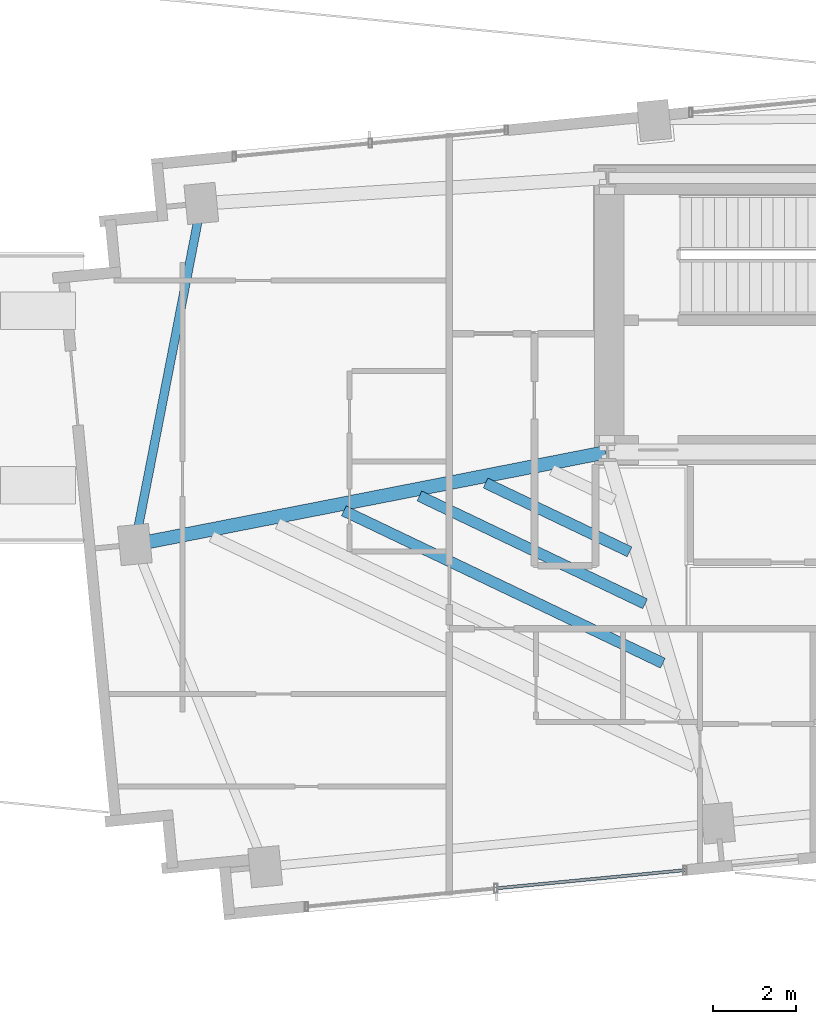
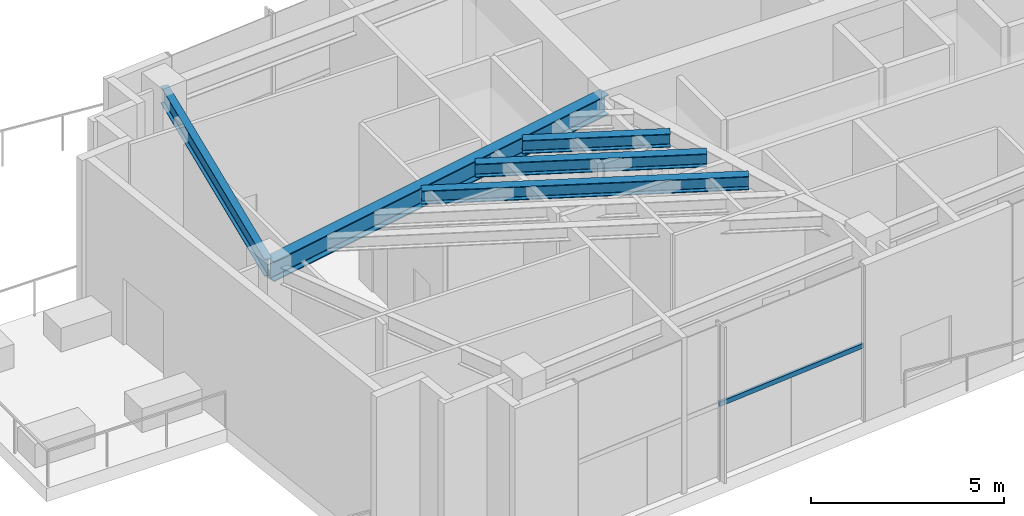
# One storey, part 3 of 21: 5 beams, 1 member, 1 element without a shape of its own.
"""IFC4 building model written with IfcOpenShell, lengths in metres."""

import ifcopenshell
import ifcopenshell.guid

model = None  # the IFC model being written
_history = None  # IfcOwnerHistory: only IFC2X3 demands one
_inside = {}  # id of a spatial element -> (the spatial element, [elements in it])
_under = {}  # id of a project, library or spatial element -> (it, [spatial elements below it])
_declared = {}  # id of a project -> (the project, [libraries it declares])
_typed = {}  # id of a type object -> (the type object, [elements of that type])
_made_of = {}  # id of a material, layer set ... -> (it, [elements and type objects made of it])


def new_model(schema):
    """Start an empty IFC model of exactly this schema.

    Asked for "IFC4X3", IfcOpenShell would pick the latest addendum, in which some entities
    have other attributes; the version numbers below select the first issue.
    IFC2X3 requires an IfcOwnerHistory on every rooted entity: one is made here for all.
    """
    global model, _history
    if schema == "IFC4X3":
        model = ifcopenshell.file(schema_version=(4, 3, 0, 0))
    else:
        model = ifcopenshell.file(schema=schema)
    _inside.clear()
    _under.clear()
    _declared.clear()
    _typed.clear()
    _made_of.clear()
    _history = None
    if model.schema == "IFC2X3":
        org = make("IfcOrganization", Name="unknown")
        user = make(
            "IfcPersonAndOrganization",
            ThePerson=make("IfcPerson", FamilyName="unknown"),
            TheOrganization=org,
        )
        app = make(
            "IfcApplication",
            ApplicationDeveloper=org,
            Version="unknown",
            ApplicationFullName="unknown",
            ApplicationIdentifier="unknown",
        )
        _history = make(
            "IfcOwnerHistory",
            OwningUser=user,
            OwningApplication=app,
            ChangeAction="ADDED",
            CreationDate=0,
        )
    return model


def make(cls, **values):
    """One entity of the class cls with the attributes given. An attribute that is None is left unset."""
    return model.create_entity(
        cls, **{name: value for name, value in values.items() if value is not None}
    )


def rooted(cls, **values):
    """An entity with a GlobalId (a new one), such as an element, a storey or a relation."""
    return make(cls, GlobalId=ifcopenshell.guid.new(), OwnerHistory=_history, **values)


def si_unit(unit_type, name, prefix=None):
    """IfcSIUnit, for example si_unit("LENGTHUNIT", "METRE", prefix="MILLI")."""
    return make("IfcSIUnit", UnitType=unit_type, Prefix=prefix, Name=name)


def assignment(units):
    """IfcUnitAssignment: the units of a project."""
    return None if units is None else make("IfcUnitAssignment", Units=units)


def point(xyz):
    """IfcCartesianPoint."""
    return None if xyz is None else make("IfcCartesianPoint", Coordinates=xyz)


def direction(xyz):
    """IfcDirection."""
    return None if xyz is None else make("IfcDirection", DirectionRatios=xyz)


def frame(location, z_axis=None, x_axis=None):
    """IfcAxis2Placement3D, a coordinate frame: its origin and axes. An axis left out is left unset."""
    return make(
        "IfcAxis2Placement3D",
        Location=point(location),
        Axis=direction(z_axis),
        RefDirection=direction(x_axis),
    )


def frame_2d(location, x_axis=None):
    """IfcAxis2Placement2D, a coordinate frame in the plane: its origin and x axis."""
    return make(
        "IfcAxis2Placement2D", Location=point(location), RefDirection=direction(x_axis)
    )


def origin():
    """The frame at (0, 0, 0) with its axes left unset."""
    return frame((0.0, 0.0, 0.0))


def origin_2d():
    """The frame at (0, 0) in the plane with its x axis left unset."""
    return frame_2d((0.0, 0.0))


def place(relative_to, where):
    """IfcLocalPlacement: puts the frame where relative to a parent placement (None: the world)."""
    return make(
        "IfcLocalPlacement", PlacementRelTo=relative_to, RelativePlacement=where
    )


def context(
    kind, dimensions, precision=None, world=None, true_north=None, identifier=None
):
    """IfcGeometricRepresentationContext, for example the 3D "Model" context."""
    return make(
        "IfcGeometricRepresentationContext",
        ContextIdentifier=identifier,
        ContextType=kind,
        CoordinateSpaceDimension=dimensions,
        Precision=precision,
        WorldCoordinateSystem=world,
        TrueNorth=true_north,
    )


def subcontext(parent, identifier, kind, view, scale=None):
    """IfcGeometricRepresentationSubContext, for example "Body" below "Model"."""
    return make(
        "IfcGeometricRepresentationSubContext",
        ContextIdentifier=identifier,
        ContextType=kind,
        ParentContext=parent,
        TargetScale=scale,
        TargetView=view,
    )


def project(units=None, contexts=None):
    """IfcProject with its units and contexts."""
    return rooted(
        "IfcProject",
        Name="project",
        RepresentationContexts=contexts,
        UnitsInContext=assignment(units),
    )


def spatial(cls, under=None, at=None, **own):
    """A site, building, storey or space (cls), placed at a placement, below another one or the project."""
    s = rooted(cls, ObjectPlacement=at, **own)
    if under is not None:
        _under.setdefault(under.id(), (under, []))[1].append(s)
    return s


def profile(cls, at=None, kind="AREA", **sizes):
    """A parametric profile (cls). Its sizes go by their IFC names, for example OverallWidth=200.0."""
    return make(cls, ProfileType=kind, Position=at, **sizes)


def hollow_rectangle(**sizes):
    """IfcRectangleHollowProfileDef."""
    return profile("IfcRectangleHollowProfileDef", **sizes)


def i_section(**sizes):
    """IfcIShapeProfileDef."""
    return profile("IfcIShapeProfileDef", **sizes)


def extrude(swept, where, along, depth):
    """IfcExtrudedAreaSolid: the profile swept, set in the frame where, extruded along a direction by depth."""
    return make(
        "IfcExtrudedAreaSolid",
        SweptArea=swept,
        Position=where,
        ExtrudedDirection=direction(along),
        Depth=depth,
    )


def shape(context_of_items, identifier, shape_type, items):
    """IfcShapeRepresentation: the items that make up one representation, for example the "Body"."""
    return make(
        "IfcShapeRepresentation",
        ContextOfItems=context_of_items,
        RepresentationIdentifier=identifier,
        RepresentationType=shape_type,
        Items=items,
    )


def source(mapping_origin, context_of_items, identifier, shape_type, items):
    """IfcRepresentationMap: a shape defined once, which mapped items show again and again."""
    return make(
        "IfcRepresentationMap",
        MappingOrigin=mapping_origin,
        MappedRepresentation=shape(context_of_items, identifier, shape_type, items),
    )


def transform(
    local_origin,
    x_axis=None,
    y_axis=None,
    z_axis=None,
    scale=None,
    scale2=None,
    scale3=None,
    uniform=True,
):
    """IfcCartesianTransformationOperator3D, or its non-uniform kind. x_axis, y_axis, z_axis: its Axis1, 2, 3."""
    if uniform:
        return make(
            "IfcCartesianTransformationOperator3D",
            Axis1=direction(x_axis),
            Axis2=direction(y_axis),
            LocalOrigin=point(local_origin),
            Scale=scale,
            Axis3=direction(z_axis),
        )
    return make(
        "IfcCartesianTransformationOperator3DnonUniform",
        Axis1=direction(x_axis),
        Axis2=direction(y_axis),
        LocalOrigin=point(local_origin),
        Scale=scale,
        Axis3=direction(z_axis),
        Scale2=scale2,
        Scale3=scale3,
    )


def mapped(mapping_source, mapping_target):
    """IfcMappedItem: shows the shape of a source again, moved by a transform."""
    return make(
        "IfcMappedItem", MappingSource=mapping_source, MappingTarget=mapping_target
    )


def material(Name=None, Category=None):
    """IfcMaterial."""
    return make("IfcMaterial", Name=Name, Category=Category)


def material_profile(
    of_material, cross_section, Name=None, Category=None, Priority=None
):
    """IfcMaterialProfile: a cross section and its material."""
    return make(
        "IfcMaterialProfile",
        Name=Name,
        Material=of_material,
        Profile=cross_section,
        Priority=Priority,
        Category=Category,
    )


def profile_set(profiles, Name=None, composite=None):
    """IfcMaterialProfileSet."""
    return make(
        "IfcMaterialProfileSet",
        Name=Name,
        MaterialProfiles=profiles,
        CompositeProfile=composite,
    )


def made_of(thing, what):
    """Note that an element or type object is made of a material, layer set ...; save() writes the relation."""
    if what is not None:
        _made_of.setdefault(what.id(), (what, []))[1].append(thing)
    return thing


def type_object(cls, material=None, **own):
    """A type object (cls), such as IfcWallType, which elements share."""
    return made_of(rooted(cls, **own), material)


def type_shapes(of_type, sources):
    """Give a type object the sources (RepresentationMaps) that its elements show as mapped items."""
    of_type.RepresentationMaps = sources


def element(
    cls,
    number,
    at=None,
    inside=None,
    cuts=None,
    type_object=None,
    material=None,
    context=None,
    identifier="Body",
    shape_type=None,
    held_by="IfcProductDefinitionShape",
    body=None,
    shapes=None,
    **own,
):
    """One element of the class cls, such as IfcWall. Its Tag is "e" and its number.

    at: its placement. inside: the storey or other place that contains it. cuts: it is an
    opening in that element (IfcRelVoidsElement). A single representation is given by context,
    identifier, shape_type and body (its items); several are given by shapes. held_by: the class
    of the entity that holds the representations. save() writes the other relations.
    """
    e = rooted(cls, Tag="e%d" % number, ObjectPlacement=at, **own)
    if body is not None:
        shapes = [shape(context, identifier, shape_type, body)]
    if shapes is not None:
        e.Representation = make(held_by, Representations=shapes)
    if inside is not None:
        _inside.setdefault(inside.id(), (inside, []))[1].append(e)
    if cuts is not None:
        rooted(
            "IfcRelVoidsElement", RelatingBuildingElement=cuts, RelatedOpeningElement=e
        )
    if type_object is not None:
        _typed.setdefault(type_object.id(), (type_object, []))[1].append(e)
    return made_of(e, material)


def aggregate(whole, parts):
    """IfcRelAggregates: a whole, such as a stair, and the parts it consists of."""
    return rooted("IfcRelAggregates", RelatingObject=whole, RelatedObjects=parts)


def save(model, path):
    """Write the relations noted so far, then the file.

    IfcRelAggregates (storeys below a building ...), IfcRelContainedInSpatialStructure (elements
    in a storey), IfcRelDefinesByType, IfcRelAssociatesMaterial and IfcRelDeclares: one each for
    every whole, place, type object, material and project.
    """
    for whole, parts in _under.values():
        aggregate(whole, parts)
    for where, things in _inside.values():
        rooted(
            "IfcRelContainedInSpatialStructure",
            RelatedElements=things,
            RelatingStructure=where,
        )
    for kind, things in _typed.values():
        rooted("IfcRelDefinesByType", RelatedObjects=things, RelatingType=kind)
    for what, things in _made_of.values():
        rooted("IfcRelAssociatesMaterial", RelatedObjects=things, RelatingMaterial=what)
    for by, libraries in _declared.values():
        rooted("IfcRelDeclares", RelatingContext=by, RelatedDefinitions=libraries)
    model.write(path)


model = new_model("IFC4")

# Units and contexts
model_context = context("Model", 3, precision=1e-05, world=origin(), true_north=direction((0.0, 1.0)))
body_context = subcontext(model_context, "Body", "Model", "MODEL_VIEW")
ifc_project = project(units=[si_unit("LENGTHUNIT", "METRE"), si_unit("AREAUNIT", "SQUARE_METRE"), si_unit("VOLUMEUNIT", "CUBIC_METRE"), si_unit("PLANEANGLEUNIT", "RADIAN"), si_unit("MASSUNIT", "GRAM", prefix="KILO")], contexts=[model_context])

# Site, building, storey
site_placement = place(None, origin())
site = spatial("IfcSite", under=ifc_project, at=site_placement, CompositionType="ELEMENT")
building_placement = place(site_placement, origin())
building = spatial("IfcBuilding", under=site, at=building_placement, Name="Astriad Promenade Condominiums", CompositionType="ELEMENT")
storey_placement = place(building_placement, frame((0.0, 0.0, 167.800048828125)))
storey = spatial("IfcBuildingStorey", under=building, at=storey_placement, Name="L48", CompositionType="ELEMENT", Elevation=167.800048828125)

# Beams
ifc_material_1 = material(Name="Steel ASTM A992 Grade 50", Category="steel")
ifc_material_profile_1 = material_profile(ifc_material_1, i_section(OverallWidth=0.210693359375, OverallDepth=0.53955078125, WebThickness=0.01171875, FlangeThickness=0.018798828125, FilletRadius=0.0166015625, at=origin_2d()), Name="W21X73")
ifc_profile_set_1 = profile_set([ifc_material_profile_1], Name="Steel ASTM A992 Grade 50")
beam_type_1 = type_object("IfcBeamType", Name="STEEL SPANDREL BEAM W21X73", PredefinedType="SPANDREL", material=ifc_profile_set_1)
shared_shape_1 = source(origin(), body_context, "Body", "SweptSolid", [
    extrude(i_section(OverallWidth=0.210693359375, OverallDepth=0.53955078125, WebThickness=0.01171875, FlangeThickness=0.018798828125, FilletRadius=0.0166015625, at=origin_2d()), origin(), (0.0, 0.0, 1.0), 8.28564453125),
])
type_shapes(beam_type_1, [shared_shape_1])
beam_1_placement = place(storey_placement, frame((16.62451171875, 23.3447265625, 4.670166015625), z_axis=(-0.191291582099, -0.981533254973, 0.0), x_axis=(0.981533254973, -0.191291582099, 0.0)))
element("IfcBeam", 1, at=beam_1_placement, inside=storey, type_object=beam_type_1, Name="Perimeter Spandrel Beam SP-W2-L48", PredefinedType="SPANDREL", context=body_context, shape_type="MappedRepresentation", body=[
    mapped(shared_shape_1, transform((0.0, 0.0, 0.0), scale=1.0)),
])
ifc_material_profile_2 = material_profile(ifc_material_1, i_section(OverallWidth=0.327392578125, OverallDepth=0.640625, WebThickness=0.01904296875, FlangeThickness=0.033935546875, FilletRadius=0.017822265625, at=origin_2d()), Name="W24X176")
ifc_profile_set_2 = profile_set([ifc_material_profile_2], Name="Steel ASTM A992 Grade 50")
beam_type_2 = type_object("IfcBeamType", Name="STEEL FLOOR GIRDER W24X176", PredefinedType="BEAM", material=ifc_profile_set_2)
shared_shape_2 = source(origin(), body_context, "Body", "SweptSolid", [
    extrude(i_section(OverallWidth=0.327392578125, OverallDepth=0.640625, WebThickness=0.01904296875, FlangeThickness=0.033935546875, FilletRadius=0.017822265625, at=origin_2d()), origin(), (0.0, 0.0, 1.0), 11.504150390625),
])
type_shapes(beam_type_2, [shared_shape_2])
beam_2_placement = place(storey_placement, frame((15.071044921875, 15.1806640625, 4.61962890625), z_axis=(0.981346028441, 0.192249765833, 0.0), x_axis=(-0.192249765833, 0.981346028441, 0.0)))
element("IfcBeam", 2, at=beam_2_placement, inside=storey, type_object=beam_type_2, Name="Primary Floor Girder PG-WM-L48", PredefinedType="BEAM", context=body_context, shape_type="MappedRepresentation", body=[
    mapped(shared_shape_2, transform((0.0, 0.0, 0.0), scale=1.0)),
])
ifc_material_profile_3 = material_profile(ifc_material_1, i_section(OverallWidth=0.26318359375, OverallDepth=0.425537109375, WebThickness=0.01318359375, FlangeThickness=0.022216796875, FilletRadius=0.013916015625, at=origin_2d()), Name="W16X89")
ifc_profile_set_3 = profile_set([ifc_material_profile_3], Name="Steel ASTM A992 Grade 50")
beam_type_3 = type_object("IfcBeamType", Name="STEEL FLOOR JOIST W16X89", PredefinedType="JOIST", material=ifc_profile_set_3)
shared_shape_3 = source(origin(), body_context, "Body", "SweptSolid", [
    extrude(i_section(OverallWidth=0.26318359375, OverallDepth=0.425537109375, WebThickness=0.01318359375, FlangeThickness=0.022216796875, FilletRadius=0.013916015625, at=origin_2d()), origin(), (0.0, 0.0, 1.0), 8.508056640625),
])
beam_3_placement = place(storey_placement, frame((20.06298828125, 15.985595703125, 4.727294921875), z_axis=(0.902339530667, -0.431025952113, 0.0), x_axis=(0.431025952113, 0.902339530667, 0.0)))
element("IfcBeam", 3, at=beam_3_placement, inside=storey, type_object=beam_type_3, Name="Secondary Composite Floor Joist JW1-3-L48", PredefinedType="JOIST", context=body_context, shape_type="MappedRepresentation", body=[
    mapped(shared_shape_3, transform((0.0, 0.0, 0.0), scale=1.0)),
])
shared_shape_4 = source(origin(), body_context, "Body", "SweptSolid", [
    extrude(i_section(OverallWidth=0.26318359375, OverallDepth=0.425537109375, WebThickness=0.01318359375, FlangeThickness=0.022216796875, FilletRadius=0.013916015625, at=origin_2d()), origin(), (0.0, 0.0, 1.0), 6.01904296875),
])
beam_4_placement = place(storey_placement, frame((21.882080078125, 16.342041015625, 4.727294921875), z_axis=(0.902329759838, -0.431046406446, 0.0), x_axis=(0.431046406446, 0.902329759838, 0.0)))
element("IfcBeam", 4, at=beam_4_placement, inside=storey, type_object=beam_type_3, Name="Secondary Composite Floor Joist JW1-4-L48", PredefinedType="JOIST", context=body_context, shape_type="MappedRepresentation", body=[
    mapped(shared_shape_4, transform((0.0, 0.0, 0.0), scale=1.0)),
])
shared_shape_5 = source(origin(), body_context, "Body", "SweptSolid", [
    extrude(i_section(OverallWidth=0.26318359375, OverallDepth=0.425537109375, WebThickness=0.01318359375, FlangeThickness=0.022216796875, FilletRadius=0.013916015625, at=origin_2d()), origin(), (0.0, 0.0, 1.0), 3.84130859375),
])
type_shapes(beam_type_3, [shared_shape_3, shared_shape_4, shared_shape_5])
beam_5_placement = place(storey_placement, frame((23.473388671875, 16.65380859375, 4.727294921875), z_axis=(0.902328811953, -0.431048390693, 0.0), x_axis=(0.431048390693, 0.902328811953, 0.0)))
element("IfcBeam", 5, at=beam_5_placement, inside=storey, type_object=beam_type_3, Name="Secondary Composite Floor Joist JW1-5-L48", PredefinedType="JOIST", context=body_context, shape_type="MappedRepresentation", body=[
    mapped(shared_shape_5, transform((0.0, 0.0, 0.0), scale=1.0)),
])

# Curtain wall, member
ifc_material_2 = material(Name="Anodised aluminium Black Dark Glass Unitised", Category="aluminium")
curtain_wall_type = type_object("IfcCurtainWallType", Name="CW-B34-DARK", PredefinedType="USERDEFINED", material=ifc_material_2)
curtain_wall_placement = place(storey_placement, origin())
curtain_wall = element("IfcCurtainWall", 6, at=curtain_wall_placement, inside=storey, type_object=curtain_wall_type, Name="CW-L48-S-5", ObjectType="UNITISED_CURTAIN_WALL", PredefinedType="USERDEFINED")
ifc_material_3 = material(Name="Anodised aluminium 6063-T6 Black", Category="aluminium")
ifc_material_profile_4 = material_profile(ifc_material_3, hollow_rectangle(XDim=0.074951171875, YDim=0.14990234375, WallThickness=0.004150390625, at=origin_2d()), Name="ALU-TRN-75X150")
ifc_profile_set_4 = profile_set([ifc_material_profile_4], Name="Anodised aluminium 6063-T6 Black")
member_type = type_object("IfcMemberType", Name="TRN-ALU-TRN-75X150", PredefinedType="USERDEFINED", material=ifc_profile_set_4)
shared_shape_6 = source(origin(), body_context, "Body", "SweptSolid", [
    extrude(hollow_rectangle(XDim=0.074951171875, YDim=0.14990234375, WallThickness=0.004150390625, at=origin_2d()), origin(), (0.0, 0.0, 1.0), 4.57470703125),
])
type_shapes(member_type, [shared_shape_6])
member_placement = place(storey_placement, frame((28.273681640625, 7.3359375, 2.349853515625), z_axis=(-0.995396113477, -0.095846634131, 0.0), x_axis=(0.095846634131, -0.995396113477, 0.0)))
member = element("IfcMember", 7, at=member_placement, type_object=member_type, Name="CW-L48-S-5-TRN-00-0", ObjectType="TRANSOM", PredefinedType="USERDEFINED", context=body_context, shape_type="MappedRepresentation", body=[
    mapped(shared_shape_6, transform((0.0, 0.0, 0.0), scale=1.0)),
])
aggregate(curtain_wall, [member])

save(model, "model.ifc")
